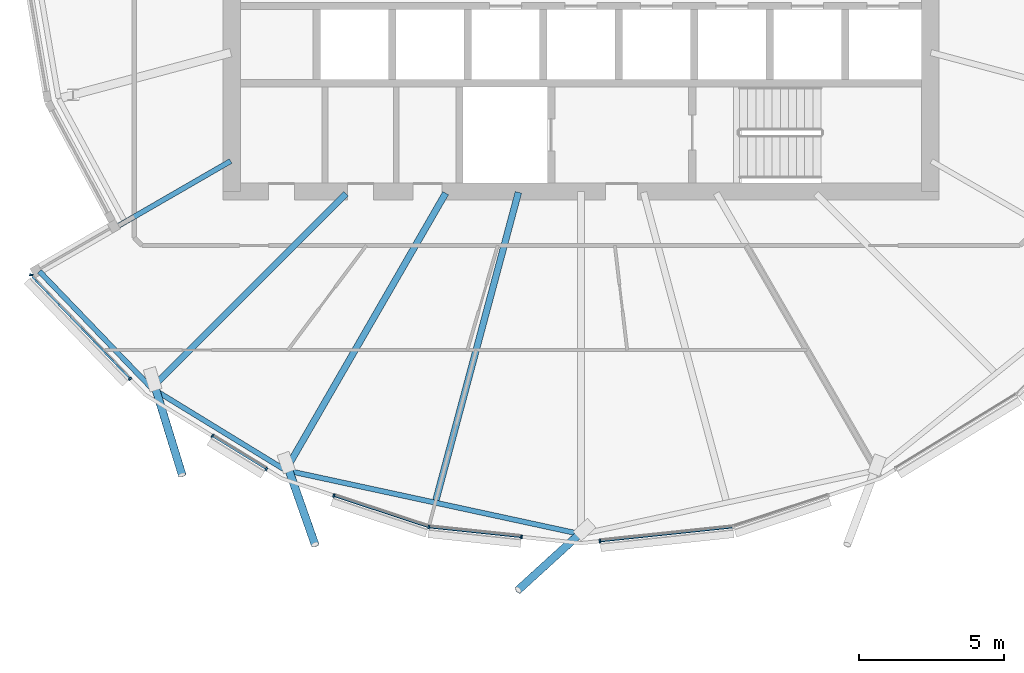
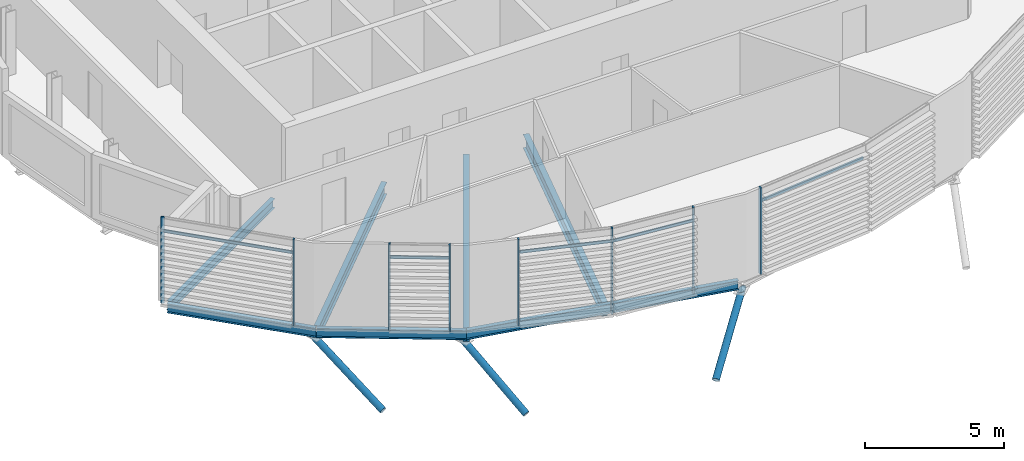
# One storey, part 3 of 37: 16 members, 7 beams, 1 element without a shape of its own.
"""IFC4 building model written with IfcOpenShell, lengths in metres."""

from ifc_helpers import new_model, si_unit, direction, frame, origin, origin_2d, place, context, subcontext, project, spatial, rectangle, hollow_circle, i_section, extrude, clip, halfspace, material, material_profile, profile_set, type_object, element, aggregate, save


model = new_model("IFC4")

# Units and contexts
model_context = context("Model", 3, precision=1e-05, world=origin(), true_north=direction((0.0, 1.0)))
body_context = subcontext(model_context, "Body", "Model", "MODEL_VIEW")
ifc_project = project(units=[si_unit("LENGTHUNIT", "METRE"), si_unit("AREAUNIT", "SQUARE_METRE"), si_unit("VOLUMEUNIT", "CUBIC_METRE"), si_unit("PLANEANGLEUNIT", "RADIAN"), si_unit("MASSUNIT", "GRAM", prefix="KILO")], contexts=[model_context])

# Site, building, storey
site_placement = place(None, origin())
site = spatial("IfcSite", under=ifc_project, at=site_placement, CompositionType="ELEMENT")
building_placement = place(site_placement, origin())
building = spatial("IfcBuilding", under=site, at=building_placement, Name="Rimbun Link Towers", CompositionType="ELEMENT")
storey_placement = place(building_placement, frame((0.0, 0.0, 166.5)))
storey = spatial("IfcBuildingStorey", under=building, at=storey_placement, Name="L40", CompositionType="ELEMENT", Elevation=166.5)

# Curtain wall, members
ifc_material_1 = material(Name="Aluminium 6063-T6 and low-iron glass", Category="aluminium")
curtain_wall_type = type_object("IfcCurtainWallType", Name="CW1-Z3 unitised vision wall (zone 3)", PredefinedType="NOTDEFINED", material=ifc_material_1)
curtain_wall_placement = place(storey_placement, origin())
curtain_wall = element("IfcCurtainWall", 1, at=curtain_wall_placement, inside=storey, type_object=curtain_wall_type, Name="CW1 L40 T1", PredefinedType="NOTDEFINED")
ifc_material_2 = material(Name="Aluminium 6063-T6", Category="aluminium")
ifc_material_profile_1 = material_profile(ifc_material_2, rectangle(XDim=0.1201171875, YDim=0.06005859375, at=origin_2d()), Name="MULLION 60X120")
ifc_profile_set_1 = profile_set([ifc_material_profile_1], Name="Aluminium 6063-T6")
member_type_1 = type_object("IfcMemberType", Name="CW1 mullion 60X120", PredefinedType="MULLION", material=ifc_profile_set_1)
member_1_placement = place(storey_placement, frame((-47.255126953125, -14.44287109375, 0.0), z_axis=(0.0, 0.0, 1.0), x_axis=(-0.721847376977, -0.692052284405, 0.0)))
member_1 = element("IfcMember", 2, at=member_1_placement, type_object=member_type_1, Name="CW1 mullion", PredefinedType="MULLION", context=body_context, shape_type="SweptSolid", body=[
    extrude(rectangle(XDim=0.1201171875, YDim=0.06005859375, at=origin_2d()), origin(), (0.0, 0.0, 1.0), 3.800048828125),
])
member_2_placement = place(storey_placement, frame((-50.649658203125, -10.868896484375, 0.0), z_axis=(0.0, 0.0, 1.0), x_axis=(-0.990014643373, 0.140964555497, 0.0)))
member_2 = element("IfcMember", 3, at=member_2_placement, type_object=member_type_1, Name="CW1 mullion", PredefinedType="MULLION", context=body_context, shape_type="SweptSolid", body=[
    extrude(rectangle(XDim=0.1201171875, YDim=0.06005859375, at=origin_2d()), origin(), (0.0, 0.0, 1.0), 3.800048828125),
])
member_3_placement = place(storey_placement, frame((-42.57275390625, -17.542724609375, 0.0), z_axis=(0.0, 0.0, 1.0), x_axis=(-0.523249760653, -0.85217937547, 0.0)))
member_3 = element("IfcMember", 4, at=member_3_placement, type_object=member_type_1, Name="CW1 mullion", PredefinedType="MULLION", context=body_context, shape_type="SweptSolid", body=[
    extrude(rectangle(XDim=0.1201171875, YDim=0.06005859375, at=origin_2d()), origin(), (0.0, 0.0, 1.0), 3.800048828125),
])
member_4_placement = place(storey_placement, frame((-44.423095703125, -16.406494140625, 0.0), z_axis=(0.0, 0.0, 1.0), x_axis=(-0.523249760653, -0.85217937547, 0.0)))
member_4 = element("IfcMember", 5, at=member_4_placement, type_object=member_type_1, Name="CW1 mullion", PredefinedType="MULLION", context=body_context, shape_type="SweptSolid", body=[
    extrude(rectangle(XDim=0.1201171875, YDim=0.06005859375, at=origin_2d()), origin(), (0.0, 0.0, 1.0), 3.800048828125),
])
member_5_placement = place(storey_placement, frame((-36.98291015625, -19.541015625, 0.0), z_axis=(0.0, 0.0, 1.0), x_axis=(-0.210865888506, -0.977515000941, 0.0)))
member_5 = element("IfcMember", 6, at=member_5_placement, type_object=member_type_1, Name="CW1 mullion", PredefinedType="MULLION", context=body_context, shape_type="SweptSolid", body=[
    extrude(rectangle(XDim=0.1201171875, YDim=0.06005859375, at=origin_2d()), origin(), (0.0, 0.0, 1.0), 3.800048828125),
])
member_6_placement = place(storey_placement, frame((-40.245361328125, -18.460205078125, 0.0), z_axis=(0.0, 0.0, 1.0), x_axis=(-0.314555722988, -0.949239009489, 0.0)))
member_6 = element("IfcMember", 7, at=member_6_placement, type_object=member_type_1, Name="CW1 mullion", PredefinedType="MULLION", context=body_context, shape_type="SweptSolid", body=[
    extrude(rectangle(XDim=0.1201171875, YDim=0.06005859375, at=origin_2d()), origin(), (0.0, 0.0, 1.0), 3.800048828125),
])
member_7_placement = place(storey_placement, frame((-33.794921875, -19.876953125, 0.0), z_axis=(0.0, 0.0, 1.0), x_axis=(-0.104740318219, -0.994499605701, 0.0)))
member_7 = element("IfcMember", 8, at=member_7_placement, type_object=member_type_1, Name="CW1 mullion", PredefinedType="MULLION", context=body_context, shape_type="SweptSolid", body=[
    extrude(rectangle(XDim=0.1201171875, YDim=0.06005859375, at=origin_2d()), origin(), (0.0, 0.0, 1.0), 3.800048828125),
])
member_8_placement = place(storey_placement, frame((-31.097412109375, -20.023681640625, 0.0), z_axis=(0.0, 0.0, 1.0), x_axis=(0.104740318219, -0.994499605701, 0.0)))
member_8 = element("IfcMember", 9, at=member_8_placement, type_object=member_type_1, Name="CW1 mullion", PredefinedType="MULLION", context=body_context, shape_type="SweptSolid", body=[
    extrude(rectangle(XDim=0.1201171875, YDim=0.06005859375, at=origin_2d()), origin(), (0.0, 0.0, 1.0), 3.800048828125),
])
ifc_material_3 = material(Name="Aluminium 6063-T6", Category="aluminium")
ifc_material_profile_2 = material_profile(ifc_material_3, rectangle(XDim=0.06005859375, YDim=0.1201171875, at=origin_2d()), Name="TRANSOM 60X120")
ifc_profile_set_2 = profile_set([ifc_material_profile_2], Name="Aluminium 6063-T6")
member_type_2 = type_object("IfcMemberType", Name="CW1 transom 60X120", PredefinedType="USERDEFINED", material=ifc_profile_set_2)
member_9_placement = place(storey_placement, frame((-47.2744140625, -14.419677734375, 3.199951171875), z_axis=(-0.692063709169, 0.721836423611, 0.0), x_axis=(-0.721836423611, -0.692063709169, 0.0)))
member_9 = element("IfcMember", 10, at=member_9_placement, type_object=member_type_2, Name="CW1 transom", ObjectType="TRANSOM", PredefinedType="USERDEFINED", context=body_context, shape_type="SweptSolid", body=[
    extrude(rectangle(XDim=0.06005859375, YDim=0.1201171875, at=origin_2d()), origin(), (0.0, 0.0, 1.0), 4.82177734375),
])
member_10_placement = place(storey_placement, frame((-42.597412109375, -17.525390625, 3.199951171875), z_axis=(-0.852162178984, 0.523277766305, 0.0), x_axis=(-0.523277766305, -0.852162178984, 0.0)))
member_10 = element("IfcMember", 11, at=member_10_placement, type_object=member_type_2, Name="CW1 transom", ObjectType="TRANSOM", PredefinedType="USERDEFINED", context=body_context, shape_type="SweptSolid", body=[
    extrude(rectangle(XDim=0.06005859375, YDim=0.1201171875, at=origin_2d()), origin(), (0.0, 0.0, 1.0), 2.111083984375),
])
member_11_placement = place(storey_placement, frame((-37.01708984375, -19.52783203125, 3.199951171875), z_axis=(-0.949246811547, 0.314532177636, 0.0), x_axis=(-0.314532177636, -0.949246811547, 0.0)))
member_11 = element("IfcMember", 12, at=member_11_placement, type_object=member_type_2, Name="CW1 transom", ObjectType="TRANSOM", PredefinedType="USERDEFINED", context=body_context, shape_type="SweptSolid", body=[
    extrude(rectangle(XDim=0.06005859375, YDim=0.1201171875, at=origin_2d()), origin(), (0.0, 0.0, 1.0), 3.370361328125),
])
member_12_placement = place(storey_placement, frame((-33.82470703125, -19.871826171875, 3.199951171875), z_axis=(-0.994505452921, 0.104684784518, 0.0), x_axis=(-0.104684784518, -0.994505452921, 0.0)))
member_12 = element("IfcMember", 13, at=member_12_placement, type_object=member_type_2, Name="CW1 transom", ObjectType="TRANSOM", PredefinedType="USERDEFINED", context=body_context, shape_type="SweptSolid", body=[
    extrude(rectangle(XDim=0.06005859375, YDim=0.1201171875, at=origin_2d()), origin(), (0.0, 0.0, 1.0), 3.13916015625),
])
member_13_placement = place(storey_placement, frame((-26.553466796875, -19.543212890625, 3.199951171875), z_axis=(-0.99450162093, -0.104721182042, 0.0), x_axis=(0.104721182042, -0.99450162093, 0.0)))
member_13 = element("IfcMember", 14, at=member_13_placement, type_object=member_type_2, Name="CW1 transom", ObjectType="TRANSOM", PredefinedType="USERDEFINED", context=body_context, shape_type="SweptSolid", body=[
    extrude(rectangle(XDim=0.06005859375, YDim=0.1201171875, at=origin_2d()), origin(), (0.0, 0.0, 1.0), 4.5390625),
])
aggregate(curtain_wall, [member_1, member_2, member_3, member_4, member_5, member_6, member_7, member_8, member_9, member_10, member_11, member_12, member_13])

# Members
ifc_material_4 = material(Name="Steel S355J2H", Category="steel")
ifc_material_profile_3 = material_profile(ifc_material_4, hollow_circle(Radius=0.136474609375, WallThickness=0.012451171875, at=origin_2d()), Name="CHS 273x12.5")
ifc_profile_set_3 = profile_set([ifc_material_profile_3], Name="Steel S355J2H")
member_type_3 = type_object("IfcMemberType", Name="Floor edge link CHS 273x12.5", PredefinedType="BRACE", material=ifc_profile_set_3)
member_14_placement = place(storey_placement, frame((-46.41162109375, -14.66162109375, -0.806396484375), z_axis=(0.265342024974, -0.86100224702, -0.433899458871), x_axis=(0.955648427308, 0.294509903711, 0.0)))
element("IfcMember", 15, at=member_14_placement, inside=storey, type_object=member_type_3, Name="Floor edge link T1 L40 15", PredefinedType="BRACE", context=body_context, shape_type="Clipping", body=[
    clip(extrude(hollow_circle(Radius=0.136474609375, WallThickness=0.012451171875, at=origin_2d()), frame((0.0, 0.0, -0.590087890625)), (0.0, 0.0, 1.0), 4.18212890625), halfspace(frame((0.0, 0.0, -0.279541015625), z_axis=(0.0, 0.900961297499, -0.433899458871)), False)),
])
member_15_placement = place(storey_placement, frame((-41.83251953125, -17.46337890625, -0.8681640625), z_axis=(0.280244736485, -0.798127718827, -0.53334325918), x_axis=(0.943526121508, 0.331298140701, 0.0)))
element("IfcMember", 16, at=member_15_placement, inside=storey, type_object=member_type_3, Name="Floor edge link T1 L40 16", PredefinedType="BRACE", context=body_context, shape_type="Clipping", body=[
    clip(extrude(hollow_circle(Radius=0.136474609375, WallThickness=0.012451171875, at=origin_2d()), frame((0.0, 0.0, -0.451904296875)), (0.0, 0.0, 1.0), 3.8154296875), halfspace(frame((0.0, 0.0, -0.212890625), z_axis=(0.0, 0.845898911152, -0.53334325918)), False)),
])
member_16_placement = place(storey_placement, frame((-31.75, -19.730712890625, -0.869140625), z_axis=(-0.629821599738, -0.57416558822, -0.523123914391), x_axis=(0.673700344844, -0.739004631486, 0.0)))
element("IfcMember", 17, at=member_16_placement, inside=storey, type_object=member_type_3, Name="Floor edge link T1 L40 18", PredefinedType="BRACE", context=body_context, shape_type="Clipping", body=[
    clip(extrude(hollow_circle(Radius=0.136474609375, WallThickness=0.012451171875, at=origin_2d()), frame((0.0, 0.0, -0.4638671875)), (0.0, 0.0, 1.0), 3.90283203125), halfspace(frame((0.0, 0.0, -0.218994140625), z_axis=(0.0, 0.852256633997, -0.523123914391)), False)),
])

# Beams
ifc_material_5 = material(Name="Steel S355J2", Category="steel")
ifc_material_profile_4 = material_profile(ifc_material_5, i_section(OverallWidth=0.177978515625, OverallDepth=0.406494140625, WebThickness=0.0078125, FlangeThickness=0.0126953125, at=origin_2d()), Name="UB 406x178x60")
ifc_profile_set_4 = profile_set([ifc_material_profile_4], Name="Steel S355J2")
beam_type_1 = type_object("IfcBeamType", Name="UB 406x178x60", PredefinedType="BEAM", material=ifc_profile_set_4)
beam_1_placement = place(storey_placement, frame((-43.79541015625, -6.954345703125, -0.353271484375), z_axis=(-0.86602178857, -0.500006261682, 0.0), x_axis=(0.500006261682, -0.86602178857, 0.0)))
element("IfcBeam", 18, at=beam_1_placement, inside=storey, type_object=beam_type_1, Name="Radial beam T1 L40 14", PredefinedType="BEAM", context=body_context, shape_type="SweptSolid", body=[
    extrude(i_section(OverallWidth=0.177978515625, OverallDepth=0.406494140625, WebThickness=0.0078125, FlangeThickness=0.0126953125, at=origin_2d()), origin(), (0.0, 0.0, 1.0), 7.49609375),
])
beam_2_placement = place(storey_placement, frame((-50.36669921875, -10.74951171875, -0.353271484375), z_axis=(0.692983908202, -0.720953051851, 0.0), x_axis=(0.720953051851, 0.692983908202, 0.0)))
element("IfcBeam", 19, at=beam_2_placement, inside=storey, type_object=beam_type_1, Name="Edge beam T1 L40 14", PredefinedType="BEAM", context=body_context, shape_type="SweptSolid", body=[
    extrude(i_section(OverallWidth=0.177978515625, OverallDepth=0.406494140625, WebThickness=0.0078125, FlangeThickness=0.0126953125, at=origin_2d()), origin(), (0.0, 0.0, 1.0), 5.551513671875),
])
beam_3_placement = place(storey_placement, frame((-46.500244140625, -14.767333984375, -0.353271484375), z_axis=(0.852668932789, -0.522451615996, 0.0), x_axis=(0.522451615996, 0.852668932789, 0.0)))
element("IfcBeam", 20, at=beam_3_placement, inside=storey, type_object=beam_type_1, Name="Edge beam T1 L40 15", PredefinedType="BEAM", context=body_context, shape_type="SweptSolid", body=[
    extrude(i_section(OverallWidth=0.177978515625, OverallDepth=0.406494140625, WebThickness=0.0078125, FlangeThickness=0.0126953125, at=origin_2d()), origin(), (0.0, 0.0, 1.0), 5.39111328125),
])
beam_4_placement = place(storey_placement, frame((-41.901611328125, -17.584716796875, -0.353271484375), z_axis=(0.97739385388, -0.211426711648, 0.0), x_axis=(0.211426711648, 0.97739385388, 0.0)))
element("IfcBeam", 21, at=beam_4_placement, inside=storey, type_object=beam_type_1, Name="Edge beam T1 L40 16-18", PredefinedType="BEAM", context=body_context, shape_type="SweptSolid", body=[
    extrude(i_section(OverallWidth=0.177978515625, OverallDepth=0.406494140625, WebThickness=0.0078125, FlangeThickness=0.0126953125, at=origin_2d()), origin(), (0.0, 0.0, 1.0), 10.26904296875),
])
ifc_material_6 = material(Name="Steel S355J2", Category="steel")
ifc_material_profile_5 = material_profile(ifc_material_6, i_section(OverallWidth=0.209228515625, OverallDepth=0.533203125, WebThickness=0.010009765625, FlangeThickness=0.015625, at=origin_2d()), Name="UB 533x210x92")
ifc_profile_set_5 = profile_set([ifc_material_profile_5], Name="Steel S355J2")
beam_type_2 = type_object("IfcBeamType", Name="UB 533x210x92", PredefinedType="BEAM", material=ifc_profile_set_5)
beam_5_placement = place(storey_placement, frame((-39.82470703125, -8.07470703125, -0.41650390625), z_axis=(-0.707106781187, -0.707106781187, 0.0), x_axis=(0.707106781187, -0.707106781187, 0.0)))
element("IfcBeam", 22, at=beam_5_placement, inside=storey, type_object=beam_type_2, Name="Radial beam T1 L40 15", PredefinedType="BEAM", context=body_context, shape_type="SweptSolid", body=[
    extrude(i_section(OverallWidth=0.209228515625, OverallDepth=0.533203125, WebThickness=0.010009765625, FlangeThickness=0.015625, at=origin_2d()), origin(), (0.0, 0.0, 1.0), 9.365478515625),
])
ifc_material_7 = material(Name="Steel S355J2", Category="steel")
ifc_material_profile_6 = material_profile(ifc_material_7, i_section(OverallWidth=0.2275390625, OverallDepth=0.6025390625, WebThickness=0.010498046875, FlangeThickness=0.014892578125, at=origin_2d()), Name="UB 610x229x101")
ifc_profile_set_6 = profile_set([ifc_material_profile_6], Name="Steel S355J2")
beam_type_3 = type_object("IfcBeamType", Name="UB 610x229x101", PredefinedType="BEAM", material=ifc_profile_set_6)
beam_6_placement = place(storey_placement, frame((-36.402099609375, -8.057861328125, -0.451416015625), z_axis=(-0.500006543176, -0.866021626047, 0.0), x_axis=(0.866021626047, -0.500006543176, 0.0)))
element("IfcBeam", 23, at=beam_6_placement, inside=storey, type_object=beam_type_3, Name="Radial beam T1 L40 16", PredefinedType="BEAM", context=body_context, shape_type="SweptSolid", body=[
    extrude(i_section(OverallWidth=0.2275390625, OverallDepth=0.6025390625, WebThickness=0.010498046875, FlangeThickness=0.014892578125, at=origin_2d()), origin(), (0.0, 0.0, 1.0), 10.910400390625),
])
beam_7_placement = place(storey_placement, frame((-33.901611328125, -8.030517578125, -0.451416015625), z_axis=(-0.258833388669, -0.965921982828, 0.0), x_axis=(0.965921982828, -0.258833388669, 0.0)))
element("IfcBeam", 24, at=beam_7_placement, inside=storey, type_object=beam_type_3, Name="Radial beam T1 L40 17", PredefinedType="BEAM", context=body_context, shape_type="SweptSolid", body=[
    extrude(i_section(OverallWidth=0.2275390625, OverallDepth=0.6025390625, WebThickness=0.010498046875, FlangeThickness=0.014892578125, at=origin_2d()), origin(), (0.0, 0.0, 1.0), 10.952880859375),
])

save(model, "model.ifc")
